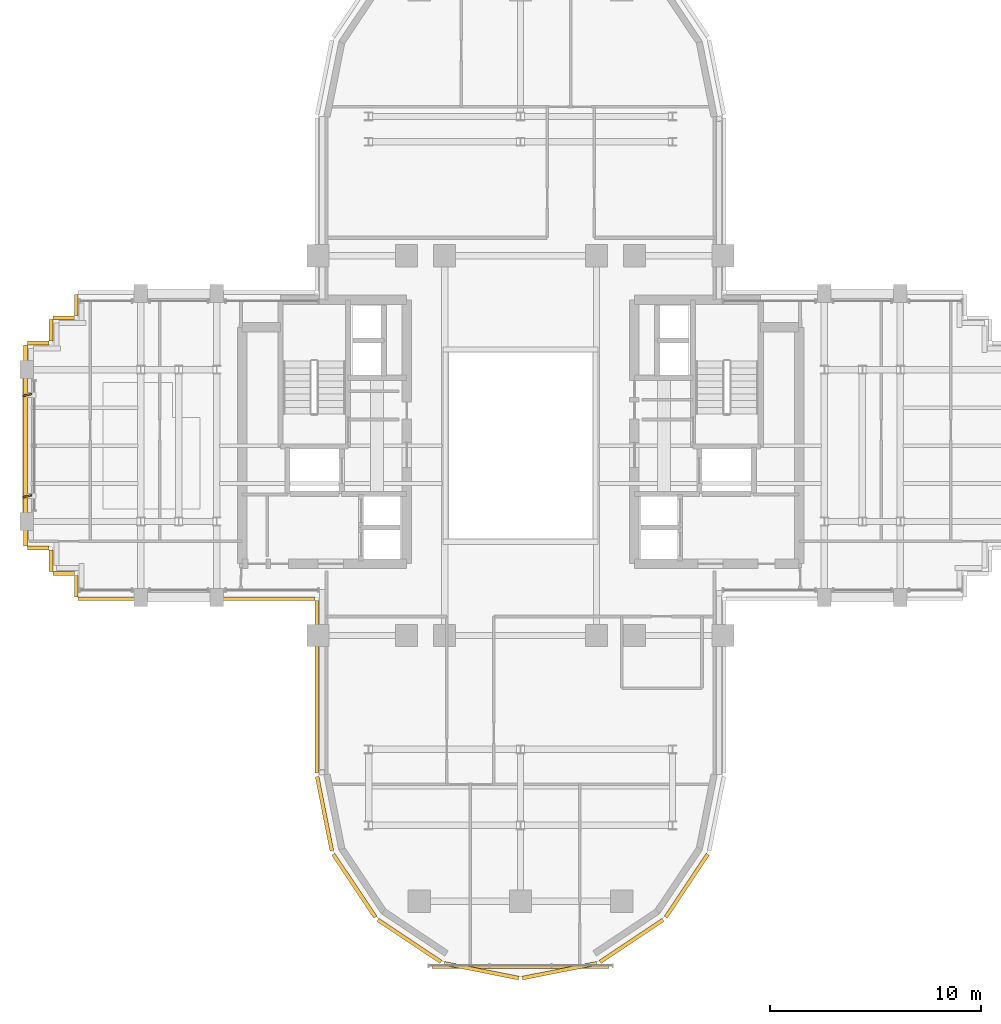
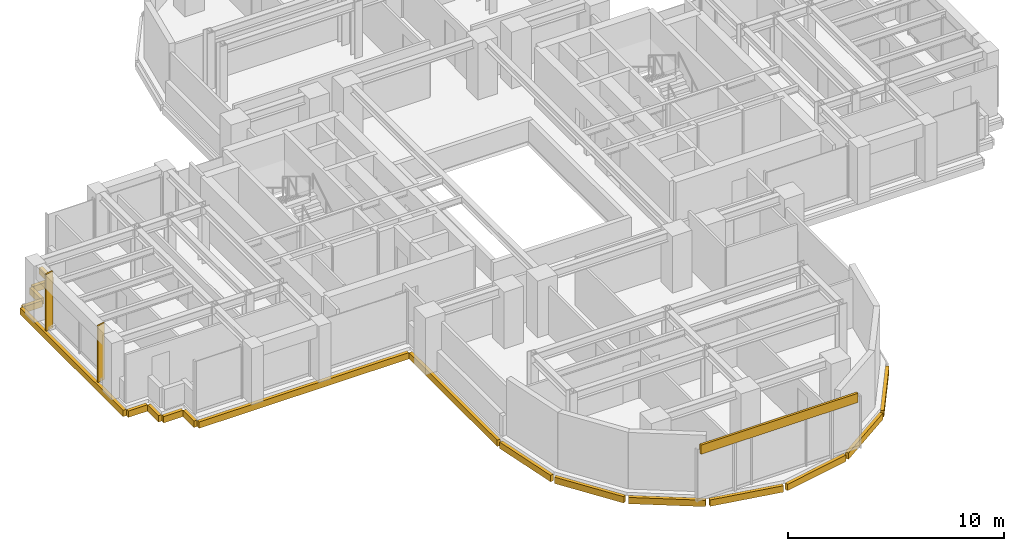
# One storey, part 12 of 14: 19 coverings, 2 shading devices.
"""IFC4 building model written with IfcOpenShell, lengths in metres."""

from ifc_helpers import new_model, si_unit, direction, frame, origin, origin_2d, place, context, subcontext, project, spatial, rectangle, extrude, source, transform, mapped, material, layer, layer_set, type_object, element, save


model = new_model("IFC4")

# Units and contexts
model_context = context("Model", 3, precision=1e-05, world=origin(), true_north=direction((0.0, 1.0)))
body_context = subcontext(model_context, "Body", "Model", "MODEL_VIEW")
ifc_project = project(units=[si_unit("LENGTHUNIT", "METRE"), si_unit("AREAUNIT", "SQUARE_METRE"), si_unit("VOLUMEUNIT", "CUBIC_METRE"), si_unit("PLANEANGLEUNIT", "RADIAN"), si_unit("MASSUNIT", "GRAM", prefix="KILO")], contexts=[model_context])

# Site, building, storey
site_placement = place(None, origin())
site = spatial("IfcSite", under=ifc_project, at=site_placement, CompositionType="ELEMENT")
building_placement = place(site_placement, origin())
building = spatial("IfcBuilding", under=site, at=building_placement, Name="Keilestroom Media Tower", CompositionType="ELEMENT")
storey_placement = place(building_placement, frame((0.0, 0.0, 121.0)))
storey = spatial("IfcBuildingStorey", under=building, at=storey_placement, Name="L32", CompositionType="ELEMENT", Elevation=121.0)

# Covering
ifc_material_1 = material(Name="Precast concrete C40/50", Category="concrete")
ifc_layer = layer(ifc_material_1, 0.1201171875)
ifc_layer_set = layer_set([ifc_layer], Name="Precast concrete C40/50")
covering_type = type_object("IfcCoveringType", Name="Exterior-Precast-Spandrel-Cladding-Panel-120", PredefinedType="CLADDING", material=ifc_layer_set)
shared_shape_1 = source(origin(), body_context, "Body", "SweptSolid", [
    extrude(rectangle(XDim=8.39990234375, YDim=0.1201171875, at=origin_2d()), origin(), (0.0, 0.0, 1.0), 0.52001953125),
])
covering_1_placement = place(storey_placement, frame((0.0, -24.719970703125, 2.68994140625), z_axis=(0.0, 0.0, 1.0), x_axis=(1.0, 0.0, 0.0)))
element("IfcCovering", 1, at=covering_1_placement, inside=storey, type_object=covering_type, Name="L32 Precast Spandrel Cladding S", PredefinedType="CLADDING", context=body_context, shape_type="MappedRepresentation", body=[
    mapped(shared_shape_1, transform((0.0, 0.0, 0.0), x_axis=(1.0, 0.0, 0.0), y_axis=(0.0, 1.0, 0.0), z_axis=(0.0, 0.0, 1.0), scale=1.0)),
])

# Shading devices
ifc_material_2 = material(Name="Bronze Anodised Aluminium", Category="aluminium")
shading_device_type = type_object("IfcShadingDeviceType", Name="Facade-Vertical-Sunshade-Fin-SHD-1", PredefinedType="USERDEFINED", material=ifc_material_2)
shared_shape_2 = source(origin(), body_context, "Body", "SweptSolid", [
    extrude(rectangle(XDim=0.419921875, YDim=0.080078125, at=origin_2d()), origin(), (0.0, 0.0, 1.0), 3.199951171875),
])
for number, where, z_axis, x_axis, name in (
    (2, (-23.3701171875, -2.39990234375, 0.0), (0.0, 0.0, 1.0), (0.97341924665, 0.229030500703, 0.0), "L32 Twisting Sunshade Fin SHD-1 037"),
    (3, (-23.3701171875, 2.39990234375, 0.0), (0.0, 0.0, 1.0), (0.97341924665, 0.229030500703, 0.0), "L32 Twisting Sunshade Fin SHD-1 038"),
):
    element("IfcShadingDevice", number, at=place(storey_placement, frame(where, z_axis=z_axis, x_axis=x_axis)), inside=storey, type_object=shading_device_type, Name=name, ObjectType="SUNSHADE", PredefinedType="USERDEFINED", context=body_context, shape_type="MappedRepresentation", body=[
        mapped(shared_shape_2, transform((0.0, 0.0, 0.0), x_axis=(1.0, 0.0, 0.0), y_axis=(0.0, 1.0, 0.0), z_axis=(0.0, 0.0, 1.0), scale=1.0)),
    ])

# Coverings
shared_shape_3 = source(origin(), body_context, "Body", "SweptSolid", [
    extrude(rectangle(XDim=1.02001953125, YDim=0.179931640625, at=origin_2d()), origin(), (0.0, 0.0, 1.0), 0.360107421875),
])
for number, where, z_axis, x_axis, name in (
    (4, (-21.06005859375, -6.659912109375, -0.5400390625), (0.0, 0.0, 1.0), (0.0, 1.0, 0.0), "L32 Precast Slab-Edge Fascia Cornice 17"),
    (5, (-21.659912109375, -6.06005859375, -0.5400390625), (0.0, 0.0, 1.0), (-1.0, 0.0, 0.0), "L32 Precast Slab-Edge Fascia Cornice 18"),
    (6, (-22.260009765625, -5.4599609375, -0.5400390625), (0.0, 0.0, 1.0), (0.0, 1.0, 0.0), "L32 Precast Slab-Edge Fascia Cornice 19"),
    (7, (-22.860107421875, -4.860107421875, -0.5400390625), (0.0, 0.0, 1.0), (-1.0, 0.0, 0.0), "L32 Precast Slab-Edge Fascia Cornice 20"),
    (8, (-22.860107421875, 4.860107421875, -0.5400390625), (0.0, 0.0, 1.0), (1.0, 0.0, 0.0), "L32 Precast Slab-Edge Fascia Cornice 22"),
    (9, (-22.260009765625, 5.4599609375, -0.5400390625), (0.0, 0.0, 1.0), (0.0, 1.0, 0.0), "L32 Precast Slab-Edge Fascia Cornice 23"),
    (10, (-21.659912109375, 6.06005859375, -0.5400390625), (0.0, 0.0, 1.0), (1.0, 0.0, 0.0), "L32 Precast Slab-Edge Fascia Cornice 24"),
    (11, (-21.06005859375, 6.659912109375, -0.5400390625), (0.0, 0.0, 1.0), (0.0, 1.0, 0.0), "L32 Precast Slab-Edge Fascia Cornice 25"),
):
    element("IfcCovering", number, at=place(storey_placement, frame(where, z_axis=z_axis, x_axis=x_axis)), inside=storey, type_object=covering_type, Name=name, PredefinedType="CLADDING", context=body_context, shape_type="MappedRepresentation", body=[
        mapped(shared_shape_3, transform((0.0, 0.0, 0.0), x_axis=(1.0, 0.0, 0.0), y_axis=(0.0, 1.0, 0.0), z_axis=(0.0, 0.0, 1.0), scale=1.0)),
    ])
shared_shape_4 = source(origin(), body_context, "Body", "SweptSolid", [
    extrude(rectangle(XDim=8.166015625, YDim=0.179931640625, at=origin_2d()), origin(), (0.0, 0.0, 1.0), 0.360107421875),
])
covering_2_placement = place(storey_placement, frame((-9.659912109375, -11.43310546875, -0.5400390625), z_axis=(0.0, 0.0, 1.0), x_axis=(0.0, 1.0, 0.0)))
element("IfcCovering", 12, at=covering_2_placement, inside=storey, type_object=covering_type, Name="L32 Precast Slab-Edge Fascia Cornice 15", PredefinedType="CLADDING", context=body_context, shape_type="MappedRepresentation", body=[
    mapped(shared_shape_4, transform((0.0, 0.0, 0.0), x_axis=(1.0, 0.0, 0.0), y_axis=(0.0, 1.0, 0.0), z_axis=(0.0, 0.0, 1.0), scale=1.0)),
])
shared_shape_5 = source(origin(), body_context, "Body", "SweptSolid", [
    extrude(rectangle(XDim=3.58349609375, YDim=0.179931640625, at=origin_2d()), origin(), (0.0, 0.0, 1.0), 0.360107421875),
])
covering_3_placement = place(storey_placement, frame((-9.29296875, -17.45166015625, -0.5400390625), z_axis=(0.0, 0.0, 1.0), x_axis=(-0.195098880975, 0.980783577882, 0.0)))
element("IfcCovering", 13, at=covering_3_placement, inside=storey, type_object=covering_type, Name="L32 Precast Slab-Edge Fascia Cornice 14", PredefinedType="CLADDING", context=body_context, shape_type="MappedRepresentation", body=[
    mapped(shared_shape_5, transform((0.0, 0.0, 0.0), x_axis=(1.0, 0.0, 0.0), y_axis=(0.0, 1.0, 0.0), z_axis=(0.0, 0.0, 1.0), scale=1.0)),
])
shared_shape_6 = source(origin(), body_context, "Body", "SweptSolid", [
    extrude(rectangle(XDim=3.589599609375, YDim=0.179931640625, at=origin_2d()), origin(), (0.0, 0.0, 1.0), 0.360107421875),
])
for number, where, z_axis, x_axis, name in (
    (14, (7.878662109375, -20.8642578125, -0.5400390625), (0.0, 0.0, 1.0), (-0.555574586577, -0.831466703332, 0.0), "L32 Precast Slab-Edge Fascia Cornice 08"),
    (15, (5.264404296875, -23.478515625, -0.5400390625), (0.0, 0.0, 1.0), (-0.831466703332, -0.555574586577, 0.0), "L32 Precast Slab-Edge Fascia Cornice 09"),
    (16, (1.8486328125, -24.893310546875, -0.5400390625), (0.0, 0.0, 1.0), (-0.980783577882, -0.195098880975, 0.0), "L32 Precast Slab-Edge Fascia Cornice 10"),
    (17, (-1.8486328125, -24.893310546875, -0.5400390625), (0.0, 0.0, 1.0), (-0.980783577882, 0.195098880975, 0.0), "L32 Precast Slab-Edge Fascia Cornice 11"),
    (18, (-5.264404296875, -23.478515625, -0.5400390625), (0.0, 0.0, 1.0), (-0.831466703332, 0.555574586577, 0.0), "L32 Precast Slab-Edge Fascia Cornice 12"),
    (19, (-7.878662109375, -20.8642578125, -0.5400390625), (0.0, 0.0, 1.0), (-0.555574586577, 0.831466703332, 0.0), "L32 Precast Slab-Edge Fascia Cornice 13"),
):
    element("IfcCovering", number, at=place(storey_placement, frame(where, z_axis=z_axis, x_axis=x_axis)), inside=storey, type_object=covering_type, Name=name, PredefinedType="CLADDING", context=body_context, shape_type="MappedRepresentation", body=[
        mapped(shared_shape_6, transform((0.0, 0.0, 0.0), x_axis=(1.0, 0.0, 0.0), y_axis=(0.0, 1.0, 0.0), z_axis=(0.0, 0.0, 1.0), scale=1.0)),
    ])
shared_shape_7 = source(origin(), body_context, "Body", "SweptSolid", [
    extrude(rectangle(XDim=9.5400390625, YDim=0.179931640625, at=origin_2d()), origin(), (0.0, 0.0, 1.0), 0.360107421875),
])
covering_4_placement = place(storey_placement, frame((-23.4599609375, 0.0, -0.5400390625), z_axis=(0.0, 0.0, 1.0), x_axis=(0.0, 1.0, 0.0)))
element("IfcCovering", 20, at=covering_4_placement, inside=storey, type_object=covering_type, Name="L32 Precast Slab-Edge Fascia Cornice 21", PredefinedType="CLADDING", context=body_context, shape_type="MappedRepresentation", body=[
    mapped(shared_shape_7, transform((0.0, 0.0, 0.0), x_axis=(1.0, 0.0, 0.0), y_axis=(0.0, 1.0, 0.0), z_axis=(0.0, 0.0, 1.0), scale=1.0)),
])
shared_shape_8 = source(origin(), body_context, "Body", "SweptSolid", [
    extrude(rectangle(XDim=11.219970703125, YDim=0.179931640625, at=origin_2d()), origin(), (0.0, 0.0, 1.0), 0.360107421875),
])
covering_5_placement = place(storey_placement, frame((-15.360107421875, -7.260009765625, -0.5400390625), z_axis=(0.0, 0.0, 1.0), x_axis=(-1.0, 0.0, 0.0)))
element("IfcCovering", 21, at=covering_5_placement, inside=storey, type_object=covering_type, Name="L32 Precast Slab-Edge Fascia Cornice 16", PredefinedType="CLADDING", context=body_context, shape_type="MappedRepresentation", body=[
    mapped(shared_shape_8, transform((0.0, 0.0, 0.0), x_axis=(1.0, 0.0, 0.0), y_axis=(0.0, 1.0, 0.0), z_axis=(0.0, 0.0, 1.0), scale=1.0)),
])

save(model, "model.ifc")
